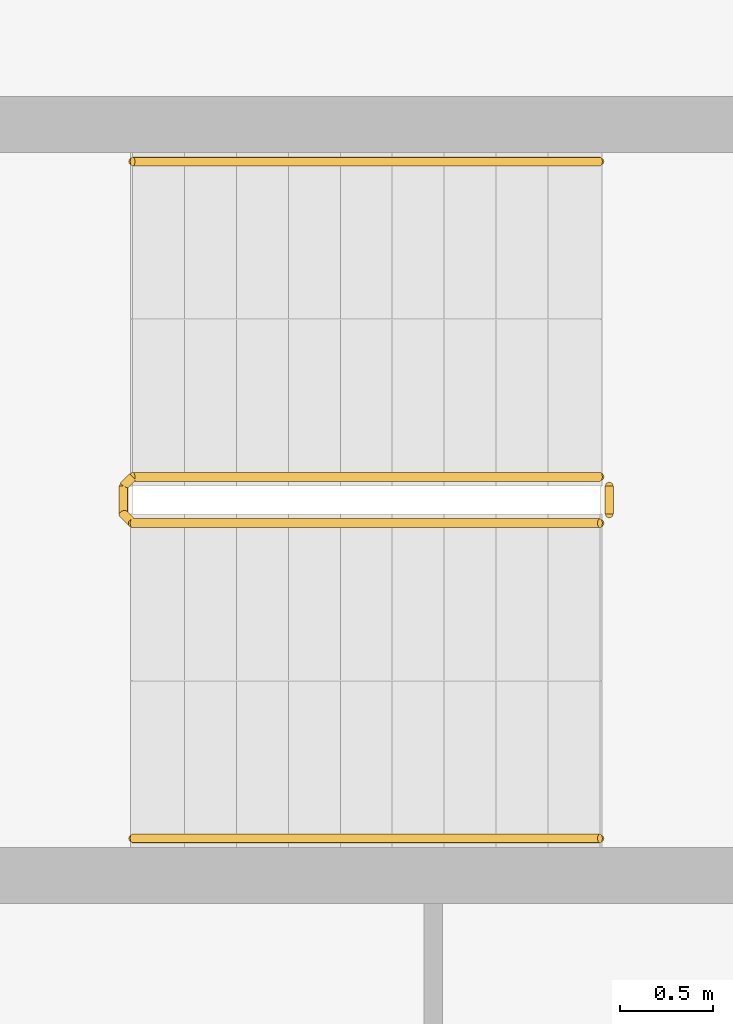
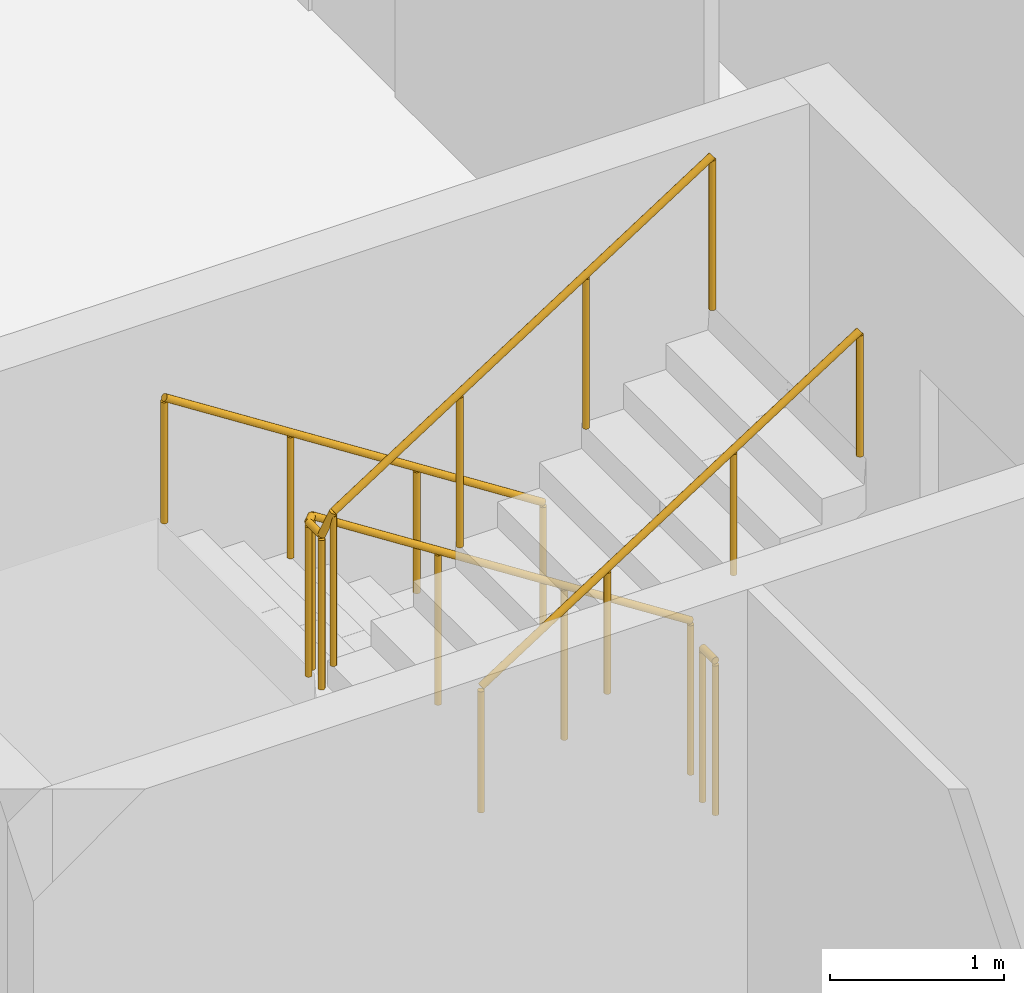
# One storey, part 24 of 27: 4 railings.
"""IFC4 building model written with IfcOpenShell, lengths in metres."""

from ifc_helpers import new_model, si_unit, direction, frame, origin, origin_2d, place, context, subcontext, project, spatial, circle, extrude, material, type_object, element, save


model = new_model("IFC4")

# Units and contexts
model_context = context("Model", 3, precision=1e-05, world=origin(), true_north=direction((0.0, 1.0)))
body_context = subcontext(model_context, "Body", "Model", "MODEL_VIEW")
ifc_project = project(units=[si_unit("LENGTHUNIT", "METRE"), si_unit("AREAUNIT", "SQUARE_METRE"), si_unit("VOLUMEUNIT", "CUBIC_METRE"), si_unit("PLANEANGLEUNIT", "RADIAN"), si_unit("MASSUNIT", "GRAM", prefix="KILO")], contexts=[model_context])

# Site, building, storey
site_placement = place(None, origin())
site = spatial("IfcSite", under=ifc_project, at=site_placement, CompositionType="ELEMENT")
building_placement = place(site_placement, origin())
building = spatial("IfcBuilding", under=site, at=building_placement, Name="Wharfspan Tower", CompositionType="ELEMENT")
storey_placement = place(building_placement, frame((0.0, 0.0, 48.699951)))
storey = spatial("IfcBuildingStorey", under=building, at=storey_placement, Name="L08", CompositionType="ELEMENT", Elevation=48.699951)

# Railings
ifc_material = material(Name="Steel S355J2", Category="steel")
railing_type_1 = type_object("IfcRailingType", Name="Stair guard 1100", PredefinedType="GUARDRAIL", material=ifc_material)
railing_1_placement = place(storey_placement, frame((6.899902, 22.625, 0.179932)))
element("IfcRailing", 1, at=railing_1_placement, inside=storey, type_object=railing_type_1, Name="L08 ST3 stair guard 1", PredefinedType="GUARDRAIL", context=body_context, shape_type="SweptSolid", body=[
    extrude(circle(Radius=0.023926, at=origin_2d()), frame((0.0, 0.0, 1.076172), z_axis=(-0.841163, 0.0, 0.540782), x_axis=(0.0, -1.0, 0.0)), (0.0, 0.0, 1.0), 2.99585),
    extrude(circle(Radius=0.023926, at=origin_2d()), frame((-2.52002, 0.0, 2.696289), z_axis=(-0.705376, -0.708834, 0.0), x_axis=(0.708834, -0.705376, 0.0)), (0.0, 0.0, 1.0), 0.070557),
    extrude(circle(Radius=0.023926, at=origin_2d()), frame((-2.569824, -0.050049, 2.696289), z_axis=(0.0, -1.0, 0.0), x_axis=(1.0, 0.0, 0.0)), (0.0, 0.0, 1.0), 0.149902),
    extrude(circle(Radius=0.023926, at=origin_2d()), frame((-2.569824, -0.199951, 2.696289), z_axis=(0.257669, -0.258932, 0.930892), x_axis=(0.708833, 0.705372, -1e-06)), (0.0, 0.0, 1.0), 0.193359),
    extrude(circle(Radius=0.023926, at=origin_2d()), frame((-2.52002, -0.25, 2.875977), z_axis=(0.841163, 0.0, 0.540782), x_axis=(0.0, 1.0, 0.0)), (0.0, 0.0, 1.0), 2.99585),
    extrude(circle(Radius=0.020996, at=origin_2d()), origin(), (0.0, 0.0, 1.0), 1.052002),
    extrude(circle(Radius=0.020996, at=origin_2d()), frame((-0.840088, 0.0, 0.540039)), (0.0, 0.0, 1.0), 1.052002),
    extrude(circle(Radius=0.020996, at=origin_2d()), frame((-1.679932, 0.0, 1.080078)), (0.0, 0.0, 1.0), 1.052002),
    extrude(circle(Radius=0.020996, at=origin_2d()), frame((-2.52002, 0.0, 1.620117)), (0.0, 0.0, 1.0), 1.052002),
    extrude(circle(Radius=0.020996, at=origin_2d()), frame((-2.569824, -0.050049, 1.620117)), (0.0, 0.0, 1.0), 1.052002),
    extrude(circle(Radius=0.020996, at=origin_2d()), frame((-2.569824, -0.199951, 1.620117)), (0.0, 0.0, 1.0), 1.052002),
    extrude(circle(Radius=0.020996, at=origin_2d()), frame((-2.52002, -0.25, 1.800049)), (0.0, 0.0, 1.0), 1.052002),
    extrude(circle(Radius=0.020996, at=origin_2d()), frame((-1.679932, -0.25, 2.340088)), (0.0, 0.0, 1.0), 1.052002),
    extrude(circle(Radius=0.020996, at=origin_2d()), frame((-0.840088, -0.25, 2.880127)), (0.0, 0.0, 1.0), 1.052002),
    extrude(circle(Radius=0.020996, at=origin_2d()), frame((0.0, -0.25, 3.420166)), (0.0, 0.0, 1.0), 1.052002),
])
railing_2_placement = place(storey_placement, frame((6.949951, 22.574951, 0.0)))
element("IfcRailing", 2, at=railing_2_placement, inside=storey, type_object=railing_type_1, Name="L08 ST3 stair guard 2", PredefinedType="GUARDRAIL", context=body_context, shape_type="SweptSolid", body=[
    extrude(circle(Radius=0.023926, at=origin_2d()), frame((0.0, 0.0, 1.076172), z_axis=(0.0, -1.0, 0.0), x_axis=(1.0, 0.0, 0.0)), (0.0, 0.0, 1.0), 0.149902),
    extrude(circle(Radius=0.020996, at=origin_2d()), origin(), (0.0, 0.0, 1.0), 1.052002),
    extrude(circle(Radius=0.020996, at=origin_2d()), frame((0.0, -0.149902, 0.0)), (0.0, 0.0, 1.0), 1.052002),
])
railing_type_2 = type_object("IfcRailingType", Name="Stair handrail 900", PredefinedType="HANDRAIL", material=ifc_material)
railing_3_placement = place(storey_placement, frame((6.899902, 24.324951, 0.179932)))
element("IfcRailing", 3, at=railing_3_placement, inside=storey, type_object=railing_type_2, Name="L08 ST3 stair handrail 1", PredefinedType="HANDRAIL", context=body_context, shape_type="SweptSolid", body=[
    extrude(circle(Radius=0.023926, at=origin_2d()), frame((0.0, 0.0, 0.875977), z_axis=(-0.841163, 0.0, 0.540782), x_axis=(0.0, -1.0, 0.0)), (0.0, 0.0, 1.0), 2.99585),
    extrude(circle(Radius=0.020996, at=origin_2d()), origin(), (0.0, 0.0, 1.0), 0.851807),
    extrude(circle(Radius=0.020996, at=origin_2d()), frame((-0.840088, 0.0, 0.540039)), (0.0, 0.0, 1.0), 0.851807),
    extrude(circle(Radius=0.020996, at=origin_2d()), frame((-1.679932, 0.0, 1.080078)), (0.0, 0.0, 1.0), 0.851807),
    extrude(circle(Radius=0.020996, at=origin_2d()), frame((-2.52002, 0.0, 1.620117)), (0.0, 0.0, 1.0), 0.851807),
])
railing_4_placement = place(storey_placement, frame((4.379883, 20.675049, 1.97998)))
element("IfcRailing", 4, at=railing_4_placement, inside=storey, type_object=railing_type_2, Name="L08 ST3 stair handrail 2", PredefinedType="HANDRAIL", context=body_context, shape_type="SweptSolid", body=[
    extrude(circle(Radius=0.023926, at=origin_2d()), frame((0.0, 0.0, 0.875977), z_axis=(0.841163, 0.0, 0.540782), x_axis=(0.0, 1.0, 0.0)), (0.0, 0.0, 1.0), 2.99585),
    extrude(circle(Radius=0.020996, at=origin_2d()), origin(), (0.0, 0.0, 1.0), 0.851807),
    extrude(circle(Radius=0.020996, at=origin_2d()), frame((0.840088, 0.0, 0.540039)), (0.0, 0.0, 1.0), 0.851807),
    extrude(circle(Radius=0.020996, at=origin_2d()), frame((1.679932, 0.0, 1.080078)), (0.0, 0.0, 1.0), 0.851807),
    extrude(circle(Radius=0.020996, at=origin_2d()), frame((2.52002, 0.0, 1.620117)), (0.0, 0.0, 1.0), 0.851807),
])

save(model, "model.ifc")
